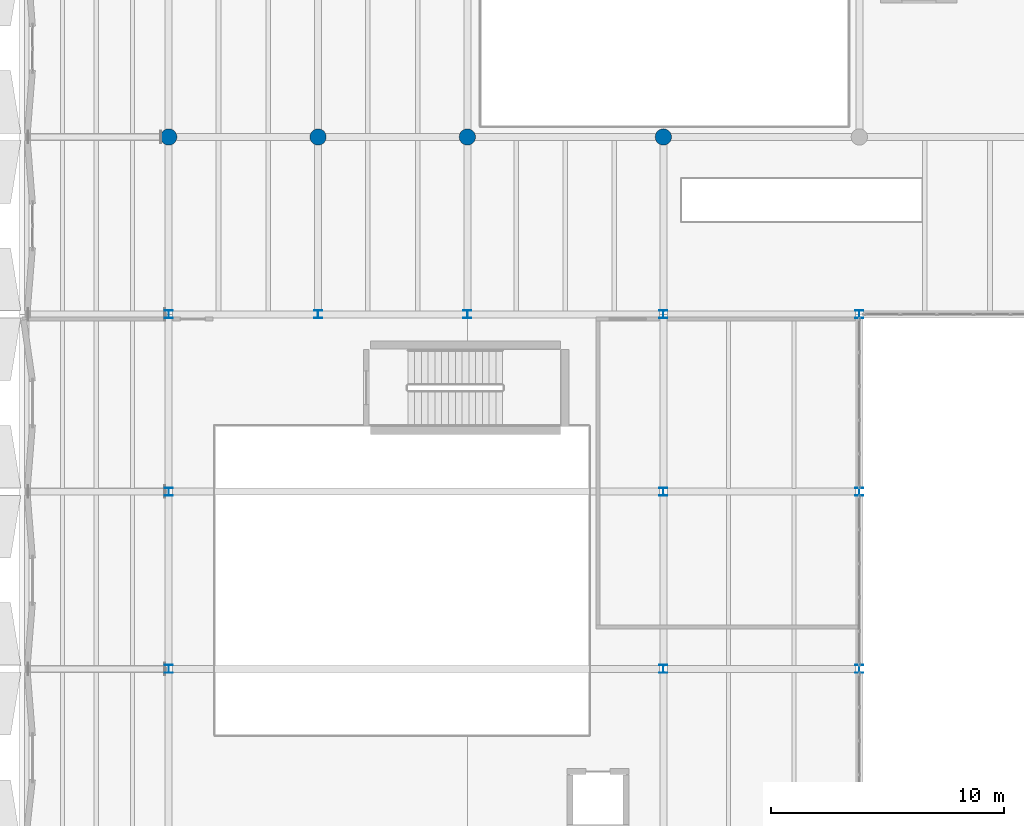
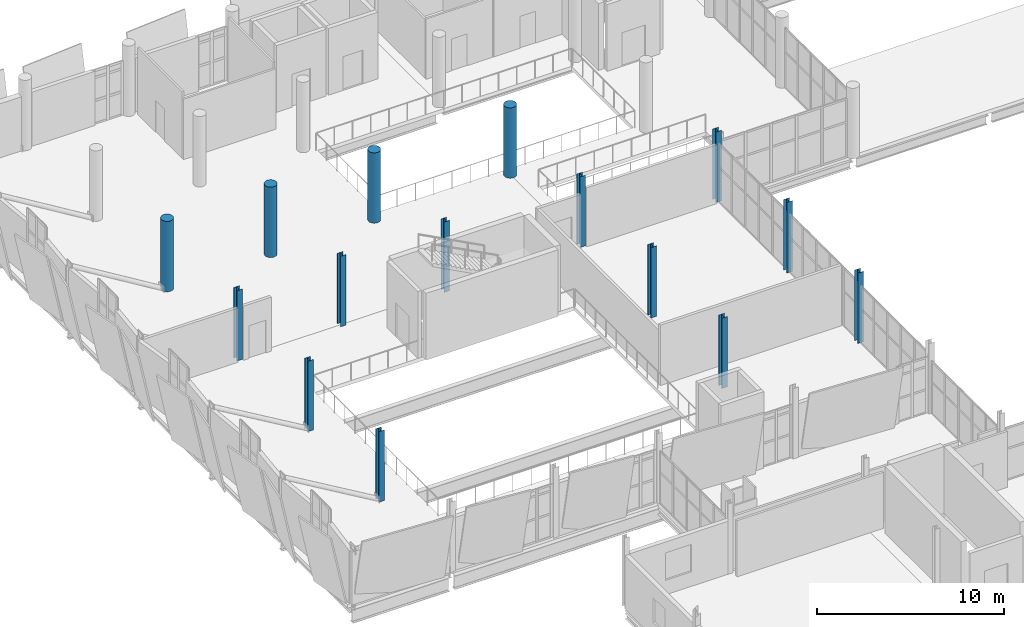
# One storey, part 3 of 136: 15 columns.
"""IFC4 building model written with IfcOpenShell, lengths in metres."""

import ifcopenshell
import ifcopenshell.guid

model = None  # the IFC model being written
_history = None  # IfcOwnerHistory: only IFC2X3 demands one
_inside = {}  # id of a spatial element -> (the spatial element, [elements in it])
_under = {}  # id of a project, library or spatial element -> (it, [spatial elements below it])
_declared = {}  # id of a project -> (the project, [libraries it declares])
_typed = {}  # id of a type object -> (the type object, [elements of that type])
_made_of = {}  # id of a material, layer set ... -> (it, [elements and type objects made of it])


def new_model(schema):
    """Start an empty IFC model of exactly this schema.

    Asked for "IFC4X3", IfcOpenShell would pick the latest addendum, in which some entities
    have other attributes; the version numbers below select the first issue.
    IFC2X3 requires an IfcOwnerHistory on every rooted entity: one is made here for all.
    """
    global model, _history
    if schema == "IFC4X3":
        model = ifcopenshell.file(schema_version=(4, 3, 0, 0))
    else:
        model = ifcopenshell.file(schema=schema)
    _inside.clear()
    _under.clear()
    _declared.clear()
    _typed.clear()
    _made_of.clear()
    _history = None
    if model.schema == "IFC2X3":
        org = make("IfcOrganization", Name="unknown")
        user = make(
            "IfcPersonAndOrganization",
            ThePerson=make("IfcPerson", FamilyName="unknown"),
            TheOrganization=org,
        )
        app = make(
            "IfcApplication",
            ApplicationDeveloper=org,
            Version="unknown",
            ApplicationFullName="unknown",
            ApplicationIdentifier="unknown",
        )
        _history = make(
            "IfcOwnerHistory",
            OwningUser=user,
            OwningApplication=app,
            ChangeAction="ADDED",
            CreationDate=0,
        )
    return model


def make(cls, **values):
    """One entity of the class cls with the attributes given. An attribute that is None is left unset."""
    return model.create_entity(
        cls, **{name: value for name, value in values.items() if value is not None}
    )


def rooted(cls, **values):
    """An entity with a GlobalId (a new one), such as an element, a storey or a relation."""
    return make(cls, GlobalId=ifcopenshell.guid.new(), OwnerHistory=_history, **values)


def si_unit(unit_type, name, prefix=None):
    """IfcSIUnit, for example si_unit("LENGTHUNIT", "METRE", prefix="MILLI")."""
    return make("IfcSIUnit", UnitType=unit_type, Prefix=prefix, Name=name)


def assignment(units):
    """IfcUnitAssignment: the units of a project."""
    return None if units is None else make("IfcUnitAssignment", Units=units)


def point(xyz):
    """IfcCartesianPoint."""
    return None if xyz is None else make("IfcCartesianPoint", Coordinates=xyz)


def direction(xyz):
    """IfcDirection."""
    return None if xyz is None else make("IfcDirection", DirectionRatios=xyz)


def frame(location, z_axis=None, x_axis=None):
    """IfcAxis2Placement3D, a coordinate frame: its origin and axes. An axis left out is left unset."""
    return make(
        "IfcAxis2Placement3D",
        Location=point(location),
        Axis=direction(z_axis),
        RefDirection=direction(x_axis),
    )


def frame_2d(location, x_axis=None):
    """IfcAxis2Placement2D, a coordinate frame in the plane: its origin and x axis."""
    return make(
        "IfcAxis2Placement2D", Location=point(location), RefDirection=direction(x_axis)
    )


def origin():
    """The frame at (0, 0, 0) with its axes left unset."""
    return frame((0.0, 0.0, 0.0))


def origin_2d():
    """The frame at (0, 0) in the plane with its x axis left unset."""
    return frame_2d((0.0, 0.0))


def place(relative_to, where):
    """IfcLocalPlacement: puts the frame where relative to a parent placement (None: the world)."""
    return make(
        "IfcLocalPlacement", PlacementRelTo=relative_to, RelativePlacement=where
    )


def context(
    kind, dimensions, precision=None, world=None, true_north=None, identifier=None
):
    """IfcGeometricRepresentationContext, for example the 3D "Model" context."""
    return make(
        "IfcGeometricRepresentationContext",
        ContextIdentifier=identifier,
        ContextType=kind,
        CoordinateSpaceDimension=dimensions,
        Precision=precision,
        WorldCoordinateSystem=world,
        TrueNorth=true_north,
    )


def subcontext(parent, identifier, kind, view, scale=None):
    """IfcGeometricRepresentationSubContext, for example "Body" below "Model"."""
    return make(
        "IfcGeometricRepresentationSubContext",
        ContextIdentifier=identifier,
        ContextType=kind,
        ParentContext=parent,
        TargetScale=scale,
        TargetView=view,
    )


def project(units=None, contexts=None):
    """IfcProject with its units and contexts."""
    return rooted(
        "IfcProject",
        Name="project",
        RepresentationContexts=contexts,
        UnitsInContext=assignment(units),
    )


def spatial(cls, under=None, at=None, **own):
    """A site, building, storey or space (cls), placed at a placement, below another one or the project."""
    s = rooted(cls, ObjectPlacement=at, **own)
    if under is not None:
        _under.setdefault(under.id(), (under, []))[1].append(s)
    return s


def profile(cls, at=None, kind="AREA", **sizes):
    """A parametric profile (cls). Its sizes go by their IFC names, for example OverallWidth=200.0."""
    return make(cls, ProfileType=kind, Position=at, **sizes)


def circle(**sizes):
    """IfcCircleProfileDef."""
    return profile("IfcCircleProfileDef", **sizes)


def i_section(**sizes):
    """IfcIShapeProfileDef."""
    return profile("IfcIShapeProfileDef", **sizes)


def extrude(swept, where, along, depth):
    """IfcExtrudedAreaSolid: the profile swept, set in the frame where, extruded along a direction by depth."""
    return make(
        "IfcExtrudedAreaSolid",
        SweptArea=swept,
        Position=where,
        ExtrudedDirection=direction(along),
        Depth=depth,
    )


def shape(context_of_items, identifier, shape_type, items):
    """IfcShapeRepresentation: the items that make up one representation, for example the "Body"."""
    return make(
        "IfcShapeRepresentation",
        ContextOfItems=context_of_items,
        RepresentationIdentifier=identifier,
        RepresentationType=shape_type,
        Items=items,
    )


def material(Name=None, Category=None):
    """IfcMaterial."""
    return make("IfcMaterial", Name=Name, Category=Category)


def material_profile(
    of_material, cross_section, Name=None, Category=None, Priority=None
):
    """IfcMaterialProfile: a cross section and its material."""
    return make(
        "IfcMaterialProfile",
        Name=Name,
        Material=of_material,
        Profile=cross_section,
        Priority=Priority,
        Category=Category,
    )


def profile_set(profiles, Name=None, composite=None):
    """IfcMaterialProfileSet."""
    return make(
        "IfcMaterialProfileSet",
        Name=Name,
        MaterialProfiles=profiles,
        CompositeProfile=composite,
    )


def made_of(thing, what):
    """Note that an element or type object is made of a material, layer set ...; save() writes the relation."""
    if what is not None:
        _made_of.setdefault(what.id(), (what, []))[1].append(thing)
    return thing


def type_object(cls, material=None, **own):
    """A type object (cls), such as IfcWallType, which elements share."""
    return made_of(rooted(cls, **own), material)


def element(
    cls,
    number,
    at=None,
    inside=None,
    cuts=None,
    type_object=None,
    material=None,
    context=None,
    identifier="Body",
    shape_type=None,
    held_by="IfcProductDefinitionShape",
    body=None,
    shapes=None,
    **own,
):
    """One element of the class cls, such as IfcWall. Its Tag is "e" and its number.

    at: its placement. inside: the storey or other place that contains it. cuts: it is an
    opening in that element (IfcRelVoidsElement). A single representation is given by context,
    identifier, shape_type and body (its items); several are given by shapes. held_by: the class
    of the entity that holds the representations. save() writes the other relations.
    """
    e = rooted(cls, Tag="e%d" % number, ObjectPlacement=at, **own)
    if body is not None:
        shapes = [shape(context, identifier, shape_type, body)]
    if shapes is not None:
        e.Representation = make(held_by, Representations=shapes)
    if inside is not None:
        _inside.setdefault(inside.id(), (inside, []))[1].append(e)
    if cuts is not None:
        rooted(
            "IfcRelVoidsElement", RelatingBuildingElement=cuts, RelatedOpeningElement=e
        )
    if type_object is not None:
        _typed.setdefault(type_object.id(), (type_object, []))[1].append(e)
    return made_of(e, material)


def aggregate(whole, parts):
    """IfcRelAggregates: a whole, such as a stair, and the parts it consists of."""
    return rooted("IfcRelAggregates", RelatingObject=whole, RelatedObjects=parts)


def save(model, path):
    """Write the relations noted so far, then the file.

    IfcRelAggregates (storeys below a building ...), IfcRelContainedInSpatialStructure (elements
    in a storey), IfcRelDefinesByType, IfcRelAssociatesMaterial and IfcRelDeclares: one each for
    every whole, place, type object, material and project.
    """
    for whole, parts in _under.values():
        aggregate(whole, parts)
    for where, things in _inside.values():
        rooted(
            "IfcRelContainedInSpatialStructure",
            RelatedElements=things,
            RelatingStructure=where,
        )
    for kind, things in _typed.values():
        rooted("IfcRelDefinesByType", RelatedObjects=things, RelatingType=kind)
    for what, things in _made_of.values():
        rooted("IfcRelAssociatesMaterial", RelatedObjects=things, RelatingMaterial=what)
    for by, libraries in _declared.values():
        rooted("IfcRelDeclares", RelatingContext=by, RelatedDefinitions=libraries)
    model.write(path)


model = new_model("IFC4")

# Units and contexts
model_context = context("Model", 3, precision=1e-05, world=origin(), true_north=direction((0.0, 1.0)))
body_context = subcontext(model_context, "Body", "Model", "MODEL_VIEW")
ifc_project = project(units=[si_unit("LENGTHUNIT", "METRE"), si_unit("AREAUNIT", "SQUARE_METRE"), si_unit("VOLUMEUNIT", "CUBIC_METRE"), si_unit("PLANEANGLEUNIT", "RADIAN"), si_unit("MASSUNIT", "GRAM", prefix="KILO")], contexts=[model_context])

# Site, building, storey
site_placement = place(None, origin())
site = spatial("IfcSite", under=ifc_project, at=site_placement, CompositionType="ELEMENT")
building_placement = place(site_placement, origin())
building = spatial("IfcBuilding", under=site, at=building_placement, Name="Shengluoqiao Park Theatre", CompositionType="ELEMENT")
storey_placement = place(building_placement, frame((0.0, 0.0, 10.0)))
storey = spatial("IfcBuildingStorey", under=building, at=storey_placement, Name="L02", CompositionType="ELEMENT", Elevation=10.0)

# Columns
ifc_material_1 = material(Name="Steel Q355", Category="steel")
ifc_material_profile_1 = material_profile(ifc_material_1, i_section(OverallWidth=0.347900390625, OverallDepth=0.343994140625, WebThickness=0.010009765625, FlangeThickness=0.01611328125, FilletRadius=0.01806640625, at=origin_2d()), Name="HW 344x348x10x16")
ifc_profile_set_1 = profile_set([ifc_material_profile_1], Name="Steel Q355")
column_type_1 = type_object("IfcColumnType", Name="STR-COL-C-HW344", PredefinedType="COLUMN", material=ifc_profile_set_1)
for number, where, z_axis, x_axis, name in (
    (1, (6.39990234375, 38.0, 0.0), (0.0, 0.0, 1.0), (1.0, 0.0, 0.0), "L02 Column 0007"),
    (2, (6.39990234375, 45.60009765625, 0.0), (0.0, 0.0, 1.0), (1.0, 0.0, 0.0), "L02 Column 0011"),
    (3, (6.39990234375, 53.199951171875, 0.0), (0.0, 0.0, 1.0), (1.0, 0.0, 0.0), "L02 Column 0015"),
    (4, (12.800048828125, 53.199951171875, 0.0), (0.0, 0.0, 1.0), (1.0, 0.0, 0.0), "L02 Column 0053"),
    (5, (19.199951171875, 53.199951171875, 0.0), (0.0, 0.0, 1.0), (1.0, 0.0, 0.0), "L02 Column 0085"),
    (6, (27.60009765625, 38.0, 0.0), (0.0, 0.0, 1.0), (1.0, 0.0, 0.0), "L02 Column 0121"),
    (7, (27.60009765625, 45.60009765625, 0.0), (0.0, 0.0, 1.0), (1.0, 0.0, 0.0), "L02 Column 0125"),
    (8, (27.60009765625, 53.199951171875, 0.0), (0.0, 0.0, 1.0), (1.0, 0.0, 0.0), "L02 Column 0129"),
    (9, (36.0, 38.0, 0.0), (0.0, 0.0, 1.0), (1.0, 0.0, 0.0), "L02 Column 0165"),
    (10, (36.0, 45.60009765625, 0.0), (0.0, 0.0, 1.0), (1.0, 0.0, 0.0), "L02 Column 0169"),
    (11, (36.0, 53.199951171875, 0.0), (0.0, 0.0, 1.0), (1.0, 0.0, 0.0), "L02 Column 0173"),
):
    element("IfcColumn", number, at=place(storey_placement, frame(where, z_axis=z_axis, x_axis=x_axis)), inside=storey, type_object=column_type_1, Name=name, PredefinedType="COLUMN", context=body_context, shape_type="SweptSolid", body=[
        extrude(i_section(OverallWidth=0.347900390625, OverallDepth=0.343994140625, WebThickness=0.010009765625, FlangeThickness=0.01611328125, FilletRadius=0.01806640625, at=origin_2d()), origin(), (0.0, 0.0, 1.0), 4.60009765625),
    ])
ifc_material_2 = material(Name="Concrete C50", Category="concrete")
ifc_material_profile_2 = material_profile(ifc_material_2, circle(Radius=0.35009765625, at=origin_2d()), Name="RC COL D700")
ifc_profile_set_2 = profile_set([ifc_material_profile_2], Name="Concrete C50")
column_type_2 = type_object("IfcColumnType", Name="STR-COL-C-RCD700", PredefinedType="COLUMN", material=ifc_profile_set_2)
for number, where, z_axis, x_axis, name in (
    (12, (6.39990234375, 60.800048828125, 0.0), (0.0, 0.0, 1.0), (1.0, 0.0, 0.0), "L02 Column 0019"),
    (13, (12.800048828125, 60.800048828125, 0.0), (0.0, 0.0, 1.0), (1.0, 0.0, 0.0), "L02 Column 0057"),
    (14, (19.199951171875, 60.800048828125, 0.0), (0.0, 0.0, 1.0), (1.0, 0.0, 0.0), "L02 Column 0089"),
    (15, (27.60009765625, 60.800048828125, 0.0), (0.0, 0.0, 1.0), (1.0, 0.0, 0.0), "L02 Column 0133"),
):
    element("IfcColumn", number, at=place(storey_placement, frame(where, z_axis=z_axis, x_axis=x_axis)), inside=storey, type_object=column_type_2, Name=name, PredefinedType="COLUMN", context=body_context, shape_type="SweptSolid", body=[
        extrude(circle(Radius=0.35009765625, at=origin_2d()), origin(), (0.0, 0.0, 1.0), 4.60009765625),
    ])

save(model, "model.ifc")
